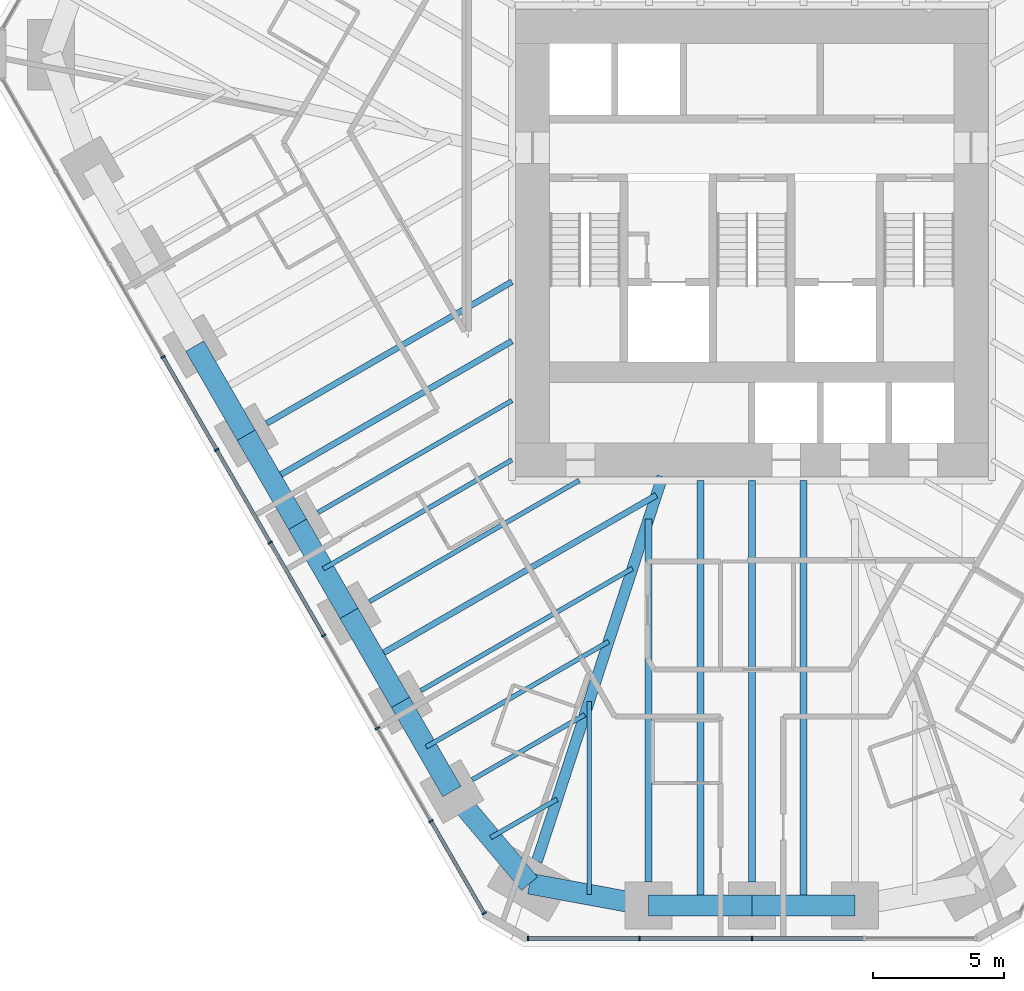
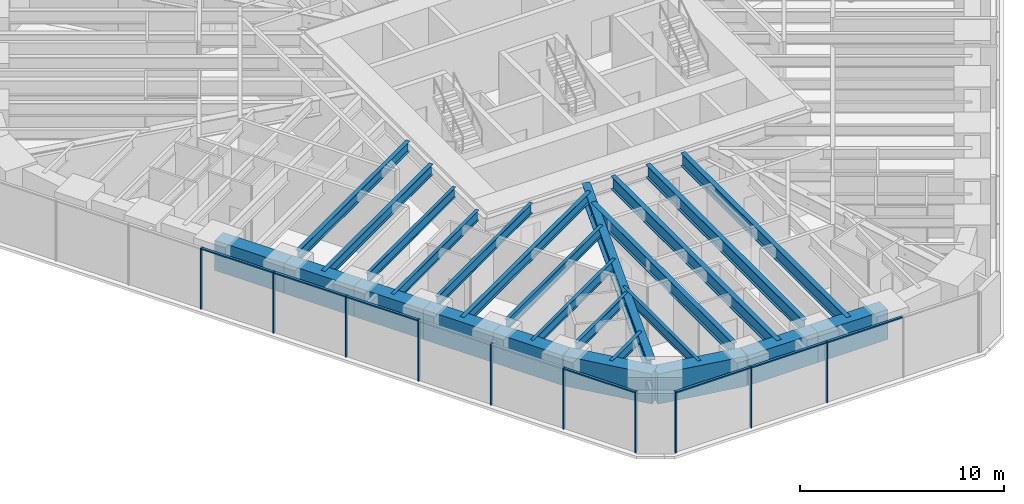
# One storey, part 2 of 17: 25 beams, 17 members, 2 elements without a shape of their own.
"""IFC4 building model written with IfcOpenShell, lengths in metres."""

from ifc_helpers import new_model, si_unit, direction, frame, origin, origin_2d, place, context, subcontext, project, spatial, rectangle, i_section, extrude, material, material_profile, profile_set, type_object, element, aggregate, save


model = new_model("IFC4")

# Units and contexts
model_context = context("Model", 3, precision=1e-05, world=origin(), true_north=direction((0.0, 1.0)))
body_context = subcontext(model_context, "Body", "Model", "MODEL_VIEW")
ifc_project = project(units=[si_unit("LENGTHUNIT", "METRE"), si_unit("AREAUNIT", "SQUARE_METRE"), si_unit("VOLUMEUNIT", "CUBIC_METRE"), si_unit("PLANEANGLEUNIT", "RADIAN"), si_unit("MASSUNIT", "GRAM", prefix="KILO")], contexts=[model_context])

# Site, building, storey
site_placement = place(None, origin())
site = spatial("IfcSite", under=ifc_project, at=site_placement, CompositionType="ELEMENT")
building_placement = place(site_placement, origin())
building = spatial("IfcBuilding", under=site, at=building_placement, Name="Sandreach Pilgrim Tower", CompositionType="ELEMENT")
storey_placement = place(building_placement, frame((0.0, 0.0, 104.39990234375)))
storey = spatial("IfcBuildingStorey", under=building, at=storey_placement, Name="L25", CompositionType="ELEMENT", Elevation=104.39990234375)

# Curtain wall, members
ifc_material_1 = material(Name="Aluminium framed curtain wall", Category="aluminium")
curtain_wall_type = type_object("IfcCurtainWallType", Name="Hotel tower curtain wall", PredefinedType="NOTDEFINED", material=ifc_material_1)
curtain_wall_1_placement = place(storey_placement, origin())
curtain_wall_1 = element("IfcCurtainWall", 1, at=curtain_wall_1_placement, inside=storey, type_object=curtain_wall_type, Name="CW-2 L25 S", PredefinedType="NOTDEFINED")
ifc_material_2 = material(Name="Aluminium extrusion", Category="aluminium")
ifc_material_profile_1 = material_profile(ifc_material_2, rectangle(XDim=0.06494140625, YDim=0.179931640625, at=origin_2d()), Name="CW-2M 65X180")
ifc_profile_set_1 = profile_set([ifc_material_profile_1], Name="Aluminium extrusion")
member_type_1 = type_object("IfcMemberType", Name="CW-2 mullion", PredefinedType="MULLION", material=ifc_profile_set_1)
member_1_placement = place(storey_placement, frame((0.0, -28.192138671875, 0.0), z_axis=(0.0, 0.0, 1.0), x_axis=(-1.0, 0.0, 0.0)))
member_1 = element("IfcMember", 2, at=member_1_placement, type_object=member_type_1, Name="CW-2 mullion 3", PredefinedType="MULLION", context=body_context, shape_type="SweptSolid", body=[
    extrude(rectangle(XDim=0.06494140625, YDim=0.179931640625, at=origin_2d()), origin(), (0.0, 0.0, 1.0), 3.64013671875),
])
member_2_placement = place(storey_placement, frame((-4.3056640625, -28.192138671875, 0.0), z_axis=(0.0, 0.0, 1.0), x_axis=(-1.0, 0.0, 0.0)))
member_2 = element("IfcMember", 3, at=member_2_placement, type_object=member_type_1, Name="CW-2 mullion 4", PredefinedType="MULLION", context=body_context, shape_type="SweptSolid", body=[
    extrude(rectangle(XDim=0.06494140625, YDim=0.179931640625, at=origin_2d()), origin(), (0.0, 0.0, 1.0), 3.64013671875),
])
member_3_placement = place(storey_placement, frame((-8.578857421875, -28.192138671875, 0.0), z_axis=(0.0, 0.0, 1.0), x_axis=(-1.0, 0.0, 0.0)))
member_3 = element("IfcMember", 4, at=member_3_placement, type_object=member_type_1, Name="CW-2 mullion 5", PredefinedType="MULLION", context=body_context, shape_type="SweptSolid", body=[
    extrude(rectangle(XDim=0.06494140625, YDim=0.179931640625, at=origin_2d()), origin(), (0.0, 0.0, 1.0), 3.64013671875),
])

curtain_wall_2_placement = place(storey_placement, origin())
curtain_wall_2 = element("IfcCurtainWall", 5, at=curtain_wall_2_placement, inside=storey, type_object=curtain_wall_type, Name="CW-2 L25 SW", PredefinedType="NOTDEFINED")
member_4_placement = place(storey_placement, frame((-10.255859375, -27.22412109375, 0.0), z_axis=(0.0, 0.0, 1.0), x_axis=(-0.5, 0.866025403784, 0.0)))
member_4 = element("IfcMember", 6, at=member_4_placement, type_object=member_type_1, Name="CW-2 mullion 1", PredefinedType="MULLION", context=body_context, shape_type="SweptSolid", body=[
    extrude(rectangle(XDim=0.06494140625, YDim=0.179931640625, at=origin_2d()), origin(), (0.0, 0.0, 1.0), 3.64013671875),
])
member_5_placement = place(storey_placement, frame((-12.29296875, -23.695556640625, 0.0), z_axis=(0.0, 0.0, 1.0), x_axis=(-0.5, 0.866025403784, 0.0)))
member_5 = element("IfcMember", 7, at=member_5_placement, type_object=member_type_1, Name="CW-2 mullion 2", PredefinedType="MULLION", context=body_context, shape_type="SweptSolid", body=[
    extrude(rectangle(XDim=0.06494140625, YDim=0.179931640625, at=origin_2d()), origin(), (0.0, 0.0, 1.0), 3.64013671875),
])
member_6_placement = place(storey_placement, frame((-14.346435546875, -20.138671875, 0.0), z_axis=(0.0, 0.0, 1.0), x_axis=(-0.5, 0.866025403784, 0.0)))
member_6 = element("IfcMember", 8, at=member_6_placement, type_object=member_type_1, Name="CW-2 mullion 3", PredefinedType="MULLION", context=body_context, shape_type="SweptSolid", body=[
    extrude(rectangle(XDim=0.06494140625, YDim=0.179931640625, at=origin_2d()), origin(), (0.0, 0.0, 1.0), 3.64013671875),
])
member_7_placement = place(storey_placement, frame((-16.39990234375, -16.58203125, 0.0), z_axis=(0.0, 0.0, 1.0), x_axis=(-0.5, 0.866025403784, 0.0)))
member_7 = element("IfcMember", 9, at=member_7_placement, type_object=member_type_1, Name="CW-2 mullion 4", PredefinedType="MULLION", context=body_context, shape_type="SweptSolid", body=[
    extrude(rectangle(XDim=0.06494140625, YDim=0.179931640625, at=origin_2d()), origin(), (0.0, 0.0, 1.0), 3.64013671875),
])
member_8_placement = place(storey_placement, frame((-18.453369140625, -13.025146484375, 0.0), z_axis=(0.0, 0.0, 1.0), x_axis=(-0.5, 0.866025403784, 0.0)))
member_8 = element("IfcMember", 10, at=member_8_placement, type_object=member_type_1, Name="CW-2 mullion 5", PredefinedType="MULLION", context=body_context, shape_type="SweptSolid", body=[
    extrude(rectangle(XDim=0.06494140625, YDim=0.179931640625, at=origin_2d()), origin(), (0.0, 0.0, 1.0), 3.64013671875),
])
member_9_placement = place(storey_placement, frame((-20.5068359375, -9.468505859375, 0.0), z_axis=(0.0, 0.0, 1.0), x_axis=(-0.5, 0.866025403784, 0.0)))
member_9 = element("IfcMember", 11, at=member_9_placement, type_object=member_type_1, Name="CW-2 mullion 6", PredefinedType="MULLION", context=body_context, shape_type="SweptSolid", body=[
    extrude(rectangle(XDim=0.06494140625, YDim=0.179931640625, at=origin_2d()), origin(), (0.0, 0.0, 1.0), 3.64013671875),
])
member_10_placement = place(storey_placement, frame((-22.560302734375, -5.911865234375, 0.0), z_axis=(0.0, 0.0, 1.0), x_axis=(-0.5, 0.866025403784, 0.0)))
member_10 = element("IfcMember", 12, at=member_10_placement, type_object=member_type_1, Name="CW-2 mullion 7", PredefinedType="MULLION", context=body_context, shape_type="SweptSolid", body=[
    extrude(rectangle(XDim=0.06494140625, YDim=0.179931640625, at=origin_2d()), origin(), (0.0, 0.0, 1.0), 3.64013671875),
])

# Member
ifc_material_3 = material(Name="Aluminium extrusion", Category="aluminium")
ifc_material_profile_2 = material_profile(ifc_material_3, rectangle(XDim=0.139892578125, YDim=0.070068359375, at=origin_2d()), Name="CW-2T 140X70")
ifc_profile_set_2 = profile_set([ifc_material_profile_2], Name="Aluminium extrusion")
member_type_2 = type_object("IfcMemberType", Name="CW-2 transom", PredefinedType="USERDEFINED", material=ifc_profile_set_2)
member_11_placement = place(storey_placement, frame((4.273193359375, -28.192138671875, 3.60498046875), z_axis=(-1.0, 0.0, 0.0), x_axis=(0.0, -1.0, 0.0)))
member_11 = element("IfcMember", 13, at=member_11_placement, type_object=member_type_2, Name="CW-2 head transom 2", ObjectType="TRANSOM", PredefinedType="USERDEFINED", context=body_context, shape_type="SweptSolid", body=[
    extrude(rectangle(XDim=0.139892578125, YDim=0.070068359375, at=origin_2d()), origin(), (0.0, 0.0, 1.0), 4.24072265625),
])

member_12_placement = place(storey_placement, frame((-0.032470703125, -28.192138671875, 3.60498046875), z_axis=(-1.0, 0.0, 0.0), x_axis=(0.0, -1.0, 0.0)))
member_12 = element("IfcMember", 14, at=member_12_placement, type_object=member_type_2, Name="CW-2 head transom 3", ObjectType="TRANSOM", PredefinedType="USERDEFINED", context=body_context, shape_type="SweptSolid", body=[
    extrude(rectangle(XDim=0.139892578125, YDim=0.070068359375, at=origin_2d()), origin(), (0.0, 0.0, 1.0), 4.24072265625),
])

member_13_placement = place(storey_placement, frame((-4.338134765625, -28.192138671875, 3.60498046875), z_axis=(-1.0, 0.0, 0.0), x_axis=(0.0, -1.0, 0.0)))
member_13 = element("IfcMember", 15, at=member_13_placement, type_object=member_type_2, Name="CW-2 head transom 4", ObjectType="TRANSOM", PredefinedType="USERDEFINED", context=body_context, shape_type="SweptSolid", body=[
    extrude(rectangle(XDim=0.139892578125, YDim=0.070068359375, at=origin_2d()), origin(), (0.0, 0.0, 1.0), 4.208251953125),
])

aggregate(curtain_wall_1, [member_1, member_2, member_3, member_11, member_12, member_13])

member_14_placement = place(storey_placement, frame((-10.27197265625, -27.196044921875, 3.60498046875), z_axis=(-0.500015851672, 0.866016251624, 0.0), x_axis=(-0.866016251624, -0.500015851672, 0.0)))
member_14 = element("IfcMember", 16, at=member_14_placement, type_object=member_type_2, Name="CW-2 head transom 1", ObjectType="TRANSOM", PredefinedType="USERDEFINED", context=body_context, shape_type="SweptSolid", body=[
    extrude(rectangle(XDim=0.139892578125, YDim=0.070068359375, at=origin_2d()), origin(), (0.0, 0.0, 1.0), 4.009521484375),
])

member_15_placement = place(storey_placement, frame((-16.416259765625, -16.553955078125, 3.60498046875), z_axis=(-0.499997818338, 0.866026663364, 0.0), x_axis=(-0.866026663364, -0.499997818338, 0.0)))
member_15 = element("IfcMember", 17, at=member_15_placement, type_object=member_type_2, Name="CW-2 head transom 4", ObjectType="TRANSOM", PredefinedType="USERDEFINED", context=body_context, shape_type="SweptSolid", body=[
    extrude(rectangle(XDim=0.139892578125, YDim=0.070068359375, at=origin_2d()), origin(), (0.0, 0.0, 1.0), 4.0419921875),
])

member_16_placement = place(storey_placement, frame((-18.4697265625, -12.9970703125, 3.60498046875), z_axis=(-0.499997818338, 0.866026663364, 0.0), x_axis=(-0.866026663364, -0.499997818338, 0.0)))
member_16 = element("IfcMember", 18, at=member_16_placement, type_object=member_type_2, Name="CW-2 head transom 5", ObjectType="TRANSOM", PredefinedType="USERDEFINED", context=body_context, shape_type="SweptSolid", body=[
    extrude(rectangle(XDim=0.139892578125, YDim=0.070068359375, at=origin_2d()), origin(), (0.0, 0.0, 1.0), 4.0419921875),
])

member_17_placement = place(storey_placement, frame((-20.523193359375, -9.4404296875, 3.60498046875), z_axis=(-0.499997818338, 0.866026663364, 0.0), x_axis=(-0.866026663364, -0.499997818338, 0.0)))
member_17 = element("IfcMember", 19, at=member_17_placement, type_object=member_type_2, Name="CW-2 head transom 6", ObjectType="TRANSOM", PredefinedType="USERDEFINED", context=body_context, shape_type="SweptSolid", body=[
    extrude(rectangle(XDim=0.139892578125, YDim=0.070068359375, at=origin_2d()), origin(), (0.0, 0.0, 1.0), 4.0419921875),
])

aggregate(curtain_wall_2, [member_4, member_5, member_6, member_7, member_8, member_9, member_10, member_14, member_15, member_16, member_17])

# Beams
ifc_material_4 = material(Name="Steel ASTM A992 Grade 50", Category="steel")
ifc_material_profile_3 = material_profile(ifc_material_4, i_section(OverallWidth=0.421630859375, OverallDepth=0.937255859375, WebThickness=0.0224609375, FlangeThickness=0.039794921875, at=origin_2d()), Name="W36X282")
ifc_profile_set_3 = profile_set([ifc_material_profile_3], Name="Steel ASTM A992 Grade 50")
beam_type_1 = type_object("IfcBeamType", Name="Corner girder W36X282", PredefinedType="BEAM", material=ifc_profile_set_3)
beam_1_placement = place(storey_placement, frame((-8.238525390625, -25.23876953125, 3.17138671875), z_axis=(0.310307109519, 0.950636364643, 0.0), x_axis=(-0.950636364643, 0.310307109519, 0.0)))
element("IfcBeam", 20, at=beam_1_placement, inside=storey, type_object=beam_type_1, Name="BM L25 CG26", PredefinedType="BEAM", context=body_context, shape_type="SweptSolid", body=[
    extrude(i_section(OverallWidth=0.421630859375, OverallDepth=0.937255859375, WebThickness=0.0224609375, FlangeThickness=0.039794921875, at=origin_2d()), origin(), (0.0, 0.0, 1.0), 15.504150390625),
])
ifc_material_5 = material(Name="Steel ASTM A992 Grade 50", Category="steel")
ifc_material_profile_4 = material_profile(ifc_material_5, i_section(OverallWidth=0.1787109375, OverallDepth=0.60205078125, WebThickness=0.010986328125, FlangeThickness=0.014892578125, at=origin_2d()), Name="W24X62")
ifc_profile_set_4 = profile_set([ifc_material_profile_4], Name="Steel ASTM A992 Grade 50")
beam_type_2 = type_object("IfcBeamType", Name="Floor beam W24X62", PredefinedType="BEAM", material=ifc_profile_set_4)
beam_2_placement = place(storey_placement, frame((-10.714599609375, -22.109130859375, 3.339111328125), z_axis=(0.866024645457, 0.500001313459, 0.0), x_axis=(-0.500001313459, 0.866024645457, 0.0)))
element("IfcBeam", 21, at=beam_2_placement, inside=storey, type_object=beam_type_2, Name="BM L25 F27", PredefinedType="BEAM", context=body_context, shape_type="SweptSolid", body=[
    extrude(i_section(OverallWidth=0.1787109375, OverallDepth=0.60205078125, WebThickness=0.010986328125, FlangeThickness=0.014892578125, at=origin_2d()), origin(), (0.0, 0.0, 1.0), 4.9765625),
])
beam_3_placement = place(storey_placement, frame((-12.6845703125, -18.697265625, 3.339111328125), z_axis=(0.866012351917, 0.500022605817, 0.0), x_axis=(-0.500022605817, 0.866012351917, 0.0)))
element("IfcBeam", 22, at=beam_3_placement, inside=storey, type_object=beam_type_2, Name="BM L25 F28", PredefinedType="BEAM", context=body_context, shape_type="SweptSolid", body=[
    extrude(i_section(OverallWidth=0.1787109375, OverallDepth=0.60205078125, WebThickness=0.010986328125, FlangeThickness=0.014892578125, at=origin_2d()), origin(), (0.0, 0.0, 1.0), 9.3642578125),
])
beam_4_placement = place(storey_placement, frame((-14.654541015625, -15.28515625, 3.339111328125), z_axis=(0.866015659929, 0.500016876472, 0.0), x_axis=(-0.500016876472, 0.866015659929, 0.0)))
element("IfcBeam", 23, at=beam_4_placement, inside=storey, type_object=beam_type_2, Name="BM L25 F29", PredefinedType="BEAM", context=body_context, shape_type="SweptSolid", body=[
    extrude(i_section(OverallWidth=0.1787109375, OverallDepth=0.60205078125, WebThickness=0.010986328125, FlangeThickness=0.014892578125, at=origin_2d()), origin(), (0.0, 0.0, 1.0), 9.283447265625),
])
beam_5_placement = place(storey_placement, frame((-16.62451171875, -11.873046875, 3.339111328125), z_axis=(0.866017857595, 0.500013070155, 0.0), x_axis=(-0.500013070155, 0.866017857595, 0.0)))
element("IfcBeam", 24, at=beam_5_placement, inside=storey, type_object=beam_type_2, Name="BM L25 F30", PredefinedType="BEAM", context=body_context, shape_type="SweptSolid", body=[
    extrude(i_section(OverallWidth=0.1787109375, OverallDepth=0.60205078125, WebThickness=0.010986328125, FlangeThickness=0.014892578125, at=origin_2d()), origin(), (0.0, 0.0, 1.0), 8.580810546875),
])
beam_6_placement = place(storey_placement, frame((-6.236572265625, -26.51318359375, 3.339111328125), z_axis=(0.0, 1.0, 0.0), x_axis=(-1.0, 0.0, 0.0)))
element("IfcBeam", 25, at=beam_6_placement, inside=storey, type_object=beam_type_2, Name="BM L25 FM25", PredefinedType="BEAM", context=body_context, shape_type="SweptSolid", body=[
    extrude(i_section(OverallWidth=0.1787109375, OverallDepth=0.60205078125, WebThickness=0.010986328125, FlangeThickness=0.014892578125, at=origin_2d()), origin(), (0.0, 0.0, 1.0), 7.40771484375),
])
beam_7_placement = place(storey_placement, frame((-10.006103515625, -24.326904296875, 3.339111328125), z_axis=(0.866015396618, 0.500017332519, 0.0), x_axis=(-0.500017332519, 0.866015396618, 0.0)))
element("IfcBeam", 26, at=beam_7_placement, inside=storey, type_object=beam_type_2, Name="BM L25 FM26", PredefinedType="BEAM", context=body_context, shape_type="SweptSolid", body=[
    extrude(i_section(OverallWidth=0.1787109375, OverallDepth=0.60205078125, WebThickness=0.010986328125, FlangeThickness=0.014892578125, at=origin_2d()), origin(), (0.0, 0.0, 1.0), 2.9384765625),
])
beam_8_placement = place(storey_placement, frame((-12.47900390625, -20.853271484375, 3.339111328125), z_axis=(0.866017328257, 0.500013986963, 0.0), x_axis=(-0.500013986963, 0.866017328257, 0.0)))
element("IfcBeam", 27, at=beam_8_placement, inside=storey, type_object=beam_type_2, Name="BM L25 FM27", PredefinedType="BEAM", context=body_context, shape_type="SweptSolid", body=[
    extrude(i_section(OverallWidth=0.1787109375, OverallDepth=0.60205078125, WebThickness=0.010986328125, FlangeThickness=0.014892578125, at=origin_2d()), origin(), (0.0, 0.0, 1.0), 8.070556640625),
])
beam_9_placement = place(storey_placement, frame((-16.4189453125, -14.029052734375, 3.339111328125), z_axis=(0.866016009309, 0.500016271356, 0.0), x_axis=(-0.500016271356, 0.866016009309, 0.0)))
element("IfcBeam", 28, at=beam_9_placement, inside=storey, type_object=beam_type_2, Name="BM L25 FM29", PredefinedType="BEAM", context=body_context, shape_type="SweptSolid", body=[
    extrude(i_section(OverallWidth=0.1787109375, OverallDepth=0.60205078125, WebThickness=0.010986328125, FlangeThickness=0.014892578125, at=origin_2d()), origin(), (0.0, 0.0, 1.0), 8.343505859375),
])
ifc_material_6 = material(Name="Steel ASTM A992 Grade 50", Category="steel")
ifc_material_profile_5 = material_profile(ifc_material_6, i_section(OverallWidth=0.23046875, OverallDepth=0.6171875, WebThickness=0.01318359375, FlangeThickness=0.022216796875, at=origin_2d()), Name="W24X94")
ifc_profile_set_5 = profile_set([ifc_material_profile_5], Name="Steel ASTM A992 Grade 50")
beam_type_3 = type_object("IfcBeamType", Name="Floor beam W24X94", PredefinedType="BEAM", material=ifc_profile_set_5)
beam_10_placement = place(storey_placement, frame((-18.594482421875, -8.4609375, 3.33154296875), z_axis=(0.866015926388, 0.500016414973, 0.0), x_axis=(-0.500016414973, 0.866015926388, 0.0)))
element("IfcBeam", 29, at=beam_10_placement, inside=storey, type_object=beam_type_3, Name="BM L25 F31", PredefinedType="BEAM", context=body_context, shape_type="SweptSolid", body=[
    extrude(i_section(OverallWidth=0.23046875, OverallDepth=0.6171875, WebThickness=0.01318359375, FlangeThickness=0.022216796875, at=origin_2d()), origin(), (0.0, 0.0, 1.0), 10.855712890625),
])
beam_11_placement = place(storey_placement, frame((-14.448974609375, -17.441162109375, 3.33154296875), z_axis=(0.866019150617, 0.500010830648, 0.0), x_axis=(-0.500010830648, 0.866019150617, 0.0)))
element("IfcBeam", 30, at=beam_11_placement, inside=storey, type_object=beam_type_3, Name="BM L25 FM28", PredefinedType="BEAM", context=body_context, shape_type="SweptSolid", body=[
    extrude(i_section(OverallWidth=0.23046875, OverallDepth=0.6171875, WebThickness=0.01318359375, FlangeThickness=0.022216796875, at=origin_2d()), origin(), (0.0, 0.0, 1.0), 12.458251953125),
])
beam_12_placement = place(storey_placement, frame((-18.388916015625, -10.616943359375, 3.33154296875), z_axis=(0.866024387147, 0.500001760863, 0.0), x_axis=(-0.500001760863, 0.866024387147, 0.0)))
element("IfcBeam", 31, at=beam_12_placement, inside=storey, type_object=beam_type_3, Name="BM L25 FM30", PredefinedType="BEAM", context=body_context, shape_type="SweptSolid", body=[
    extrude(i_section(OverallWidth=0.23046875, OverallDepth=0.6171875, WebThickness=0.01318359375, FlangeThickness=0.022216796875, at=origin_2d()), origin(), (0.0, 0.0, 1.0), 10.6181640625),
])
ifc_material_7 = material(Name="Steel ASTM A992 Grade 50", Category="steel")
ifc_material_profile_6 = material_profile(ifc_material_7, i_section(OverallWidth=0.2666015625, OverallDepth=0.761962890625, WebThickness=0.014404296875, FlangeThickness=0.021484375, at=origin_2d()), Name="W30X116")
ifc_profile_set_6 = profile_set([ifc_material_profile_6], Name="Steel ASTM A992 Grade 50")
beam_type_4 = type_object("IfcBeamType", Name="Floor beam W30X116", PredefinedType="BEAM", material=ifc_profile_set_6)
beam_13_placement = place(storey_placement, frame((-3.955322265625, -26.0322265625, 3.259033203125), z_axis=(0.0, 1.0, 0.0), x_axis=(-1.0, 0.0, 0.0)))
element("IfcBeam", 32, at=beam_13_placement, inside=storey, type_object=beam_type_4, Name="BM L25 F25", PredefinedType="BEAM", context=body_context, shape_type="SweptSolid", body=[
    extrude(i_section(OverallWidth=0.2666015625, OverallDepth=0.761962890625, WebThickness=0.014404296875, FlangeThickness=0.021484375, at=origin_2d()), origin(), (0.0, 0.0, 1.0), 13.91552734375),
])
ifc_material_8 = material(Name="Steel ASTM A992 Grade 50", Category="steel")
ifc_material_profile_7 = material_profile(ifc_material_8, i_section(OverallWidth=0.2666015625, OverallDepth=0.77978515625, WebThickness=0.0166015625, FlangeThickness=0.030029296875, at=origin_2d()), Name="W30X148")
ifc_profile_set_7 = profile_set([ifc_material_profile_7], Name="Steel ASTM A992 Grade 50")
beam_type_5 = type_object("IfcBeamType", Name="Floor beam W30X148", PredefinedType="BEAM", material=ifc_profile_set_7)
beam_14_placement = place(storey_placement, frame((0.0, -26.0322265625, 3.250244140625), z_axis=(0.0, 1.0, 0.0), x_axis=(-1.0, 0.0, 0.0)))
element("IfcBeam", 33, at=beam_14_placement, inside=storey, type_object=beam_type_5, Name="BM L25 F24", PredefinedType="BEAM", context=body_context, shape_type="SweptSolid", body=[
    extrude(i_section(OverallWidth=0.2666015625, OverallDepth=0.77978515625, WebThickness=0.0166015625, FlangeThickness=0.030029296875, at=origin_2d()), origin(), (0.0, 0.0, 1.0), 15.388916015625),
])
for number, where, z_axis, x_axis, name in (
    (34, (1.9775390625, -26.93212890625, 3.250244140625), (0.0, 1.0, 0.0), (-1.0, 0.0, 0.0), "BM L25 FM23"),
    (35, (-1.9775390625, -26.93212890625, 3.250244140625), (0.0, 1.0, 0.0), (-1.0, 0.0, 0.0), "BM L25 FM24"),
):
    element("IfcBeam", number, at=place(storey_placement, frame(where, z_axis=z_axis, x_axis=x_axis)), inside=storey, type_object=beam_type_5, Name=name, PredefinedType="BEAM", context=body_context, shape_type="SweptSolid", body=[
        extrude(i_section(OverallWidth=0.2666015625, OverallDepth=0.77978515625, WebThickness=0.0166015625, FlangeThickness=0.030029296875, at=origin_2d()), origin(), (0.0, 0.0, 1.0), 16.288818359375),
    ])
ifc_material_9 = material(Name="Concrete 10000 psi", Category="concrete")
ifc_material_profile_8 = material_profile(ifc_material_9, rectangle(XDim=0.800048828125, YDim=1.800048828125, at=origin_2d()), Name="RC800X1800")
ifc_profile_set_8 = profile_set([ifc_material_profile_8], Name="Concrete 10000 psi")
beam_type_6 = type_object("IfcBeamType", Name="Spandrel beam RC800X1800", PredefinedType="SPANDREL", material=ifc_profile_set_8)
for number, where, z_axis, x_axis, name in (
    (36, (3.955322265625, -26.93212890625, 2.739990234375), (-1.0, 0.0, 0.0), (0.0, -1.0, 0.0), "BM L25 SP23"),
    (37, (0.0, -26.93212890625, 2.739990234375), (-1.0, 0.0, 0.0), (0.0, -1.0, 0.0), "BM L25 SP24"),
):
    element("IfcBeam", number, at=place(storey_placement, frame(where, z_axis=z_axis, x_axis=x_axis)), inside=storey, type_object=beam_type_6, Name=name, PredefinedType="SPANDREL", context=body_context, shape_type="SweptSolid", body=[
        extrude(rectangle(XDim=0.800048828125, YDim=1.800048828125, at=origin_2d()), origin(), (0.0, 0.0, 1.0), 3.955322265625),
    ])
beam_15_placement = place(storey_placement, frame((-3.955322265625, -26.93212890625, 2.739990234375), z_axis=(-0.983551746136, 0.180626583516, 0.0), x_axis=(-0.180626583516, -0.983551746136, 0.0)))
element("IfcBeam", 38, at=beam_15_placement, inside=storey, type_object=beam_type_6, Name="BM L25 SP25", PredefinedType="SPANDREL", context=body_context, shape_type="SweptSolid", body=[
    extrude(rectangle(XDim=0.800048828125, YDim=1.800048828125, at=origin_2d()), origin(), (0.0, 0.0, 1.0), 4.638916015625),
])
beam_16_placement = place(storey_placement, frame((-8.517822265625, -26.09423828125, 2.739990234375), z_axis=(-0.644078801547, 0.764959147535, 0.0), x_axis=(-0.764959147535, -0.644078801547, 0.0)))
element("IfcBeam", 39, at=beam_16_placement, inside=storey, type_object=beam_type_6, Name="BM L25 SP26", PredefinedType="SPANDREL", context=body_context, shape_type="SweptSolid", body=[
    extrude(rectangle(XDim=0.800048828125, YDim=1.800048828125, at=origin_2d()), origin(), (0.0, 0.0, 1.0), 4.62109375),
])
for number, where, z_axis, x_axis, name in (
    (40, (-11.494140625, -22.559326171875, 2.739990234375), (-0.49999779889, 0.866026674592, 0.0), (-0.866026674592, -0.49999779889, 0.0), "BM L25 SP27"),
    (41, (-13.464111328125, -19.147216796875, 2.739990234375), (-0.49999779889, 0.866026674592, 0.0), (-0.866026674592, -0.49999779889, 0.0), "BM L25 SP28"),
    (42, (-15.43408203125, -15.735107421875, 2.739990234375), (-0.49999779889, 0.866026674592, 0.0), (-0.866026674592, -0.49999779889, 0.0), "BM L25 SP29"),
    (43, (-17.404052734375, -12.322998046875, 2.739990234375), (-0.49999779889, 0.866026674592, 0.0), (-0.866026674592, -0.49999779889, 0.0), "BM L25 SP30"),
    (44, (-19.3740234375, -8.910888671875, 2.739990234375), (-0.49999779889, 0.866026674592, 0.0), (-0.866026674592, -0.49999779889, 0.0), "BM L25 SP31"),
):
    element("IfcBeam", number, at=place(storey_placement, frame(where, z_axis=z_axis, x_axis=x_axis)), inside=storey, type_object=beam_type_6, Name=name, PredefinedType="SPANDREL", context=body_context, shape_type="SweptSolid", body=[
        extrude(rectangle(XDim=0.800048828125, YDim=1.800048828125, at=origin_2d()), origin(), (0.0, 0.0, 1.0), 3.93994140625),
    ])

save(model, "model.ifc")
